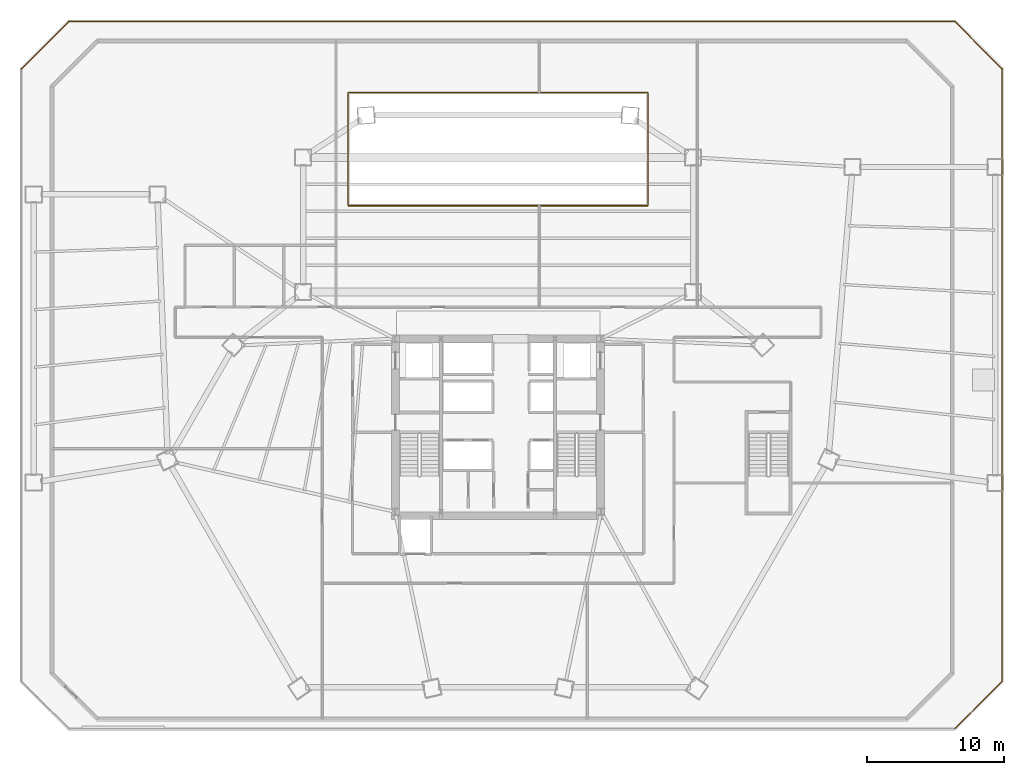
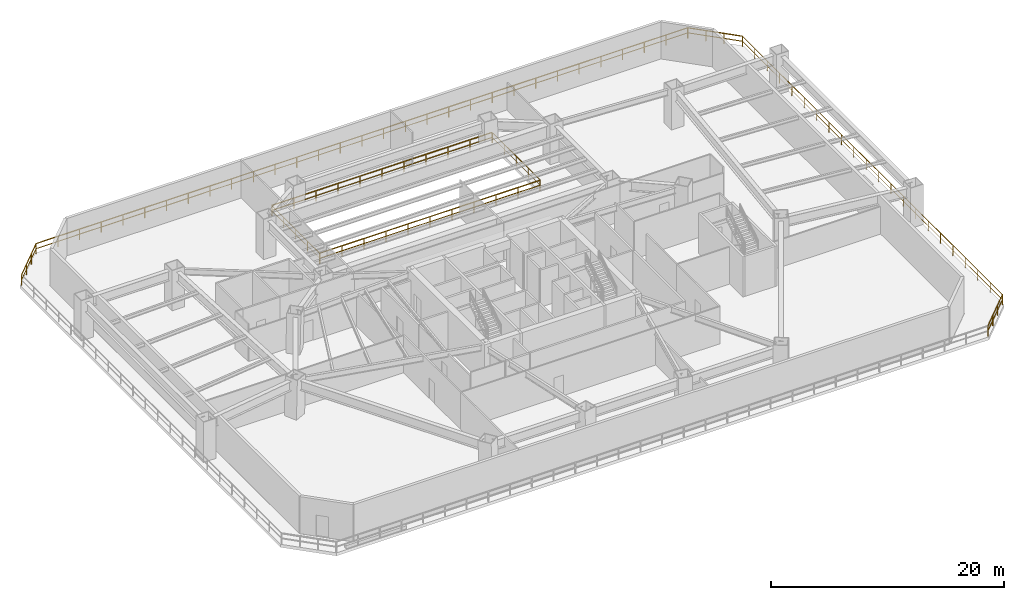
# One storey, part 12 of 12: 9 railings.
"""IFC4 building model written with IfcOpenShell, lengths in metres."""

from ifc_helpers import new_model, si_unit, direction, frame, origin, origin_2d, place, context, subcontext, project, spatial, rectangle, extrude, material, layer, layer_set, type_object, element, save


model = new_model("IFC4")

# Units and contexts
model_context = context("Model", 3, precision=1e-05, world=origin(), true_north=direction((0.0, 1.0)))
body_context = subcontext(model_context, "Body", "Model", "MODEL_VIEW")
ifc_project = project(units=[si_unit("LENGTHUNIT", "METRE"), si_unit("AREAUNIT", "SQUARE_METRE"), si_unit("VOLUMEUNIT", "CUBIC_METRE"), si_unit("PLANEANGLEUNIT", "RADIAN"), si_unit("MASSUNIT", "GRAM", prefix="KILO")], contexts=[model_context])

# Site, building, storey
site_placement = place(None, origin())
site = spatial("IfcSite", under=ifc_project, at=site_placement, CompositionType="ELEMENT")
building_placement = place(site_placement, origin())
building = spatial("IfcBuilding", under=site, at=building_placement, Name="Caelisora Broadcast Tower", CompositionType="ELEMENT")
storey_placement = place(building_placement, frame((0.0, 0.0, 14.699951171875)))
storey = spatial("IfcBuildingStorey", under=building, at=storey_placement, Name="L03", CompositionType="ELEMENT", Elevation=14.699951171875)

# Railings
ifc_material_1 = material(Name="Laminated Glass and Stainless Steel Terrace Balustrade", Category="steel")
ifc_layer_1 = layer(ifc_material_1, 0.048095703125, Name="Laminated Glass and Stainless Steel Terrace Balustrade")
ifc_layer_set_1 = layer_set([ifc_layer_1], Name="Laminated Glass and Stainless Steel Terrace Balustrade")
railing_type_1 = type_object("IfcRailingType", Name="BL-1", PredefinedType="BALUSTRADE", material=ifc_layer_set_1)
railing_1_placement = place(storey_placement, frame((3.320068359375, 49.64990234375, 0.0)))
element("IfcRailing", 1, at=railing_1_placement, inside=storey, type_object=railing_type_1, Name="L03 balustrade BL-1 #03", PredefinedType="BALUSTRADE", context=body_context, shape_type="SweptSolid", body=[
    extrude(rectangle(XDim=0.048095703125, YDim=0.048095703125, at=origin_2d()), frame((0.0, 0.0, 1.076171875), z_axis=(0.707081615901, 0.707131945577, 0.0), x_axis=(-0.707131945577, 0.707081615901, 0.0)), (0.0, 0.0, 1.0), 4.850830078125),
    extrude(rectangle(XDim=0.03125, YDim=0.03125, at=origin_2d()), frame((0.0, 0.0, 0.550048828125), z_axis=(0.707081615901, 0.707131945577, 0.0), x_axis=(-0.707131945577, 0.707081615901, 0.0)), (0.0, 0.0, 1.0), 4.850830078125),
    extrude(rectangle(XDim=0.0419921875, YDim=0.0419921875, at=origin_2d()), origin(), (0.0, 0.0, 1.0), 1.052001953125),
    extrude(rectangle(XDim=0.0419921875, YDim=0.0419921875, at=origin_2d()), frame((1.143310546875, 1.143310546875, 0.0)), (0.0, 0.0, 1.0), 1.052001953125),
    extrude(rectangle(XDim=0.0419921875, YDim=0.0419921875, at=origin_2d()), frame((2.28662109375, 2.286865234375, 0.0)), (0.0, 0.0, 1.0), 1.052001953125),
    extrude(rectangle(XDim=0.0419921875, YDim=0.0419921875, at=origin_2d()), frame((3.429931640625, 3.43017578125, 0.0)), (0.0, 0.0, 1.0), 1.052001953125),
])
railing_2_placement = place(storey_placement, frame((6.75, 53.080078125, 0.0)))
element("IfcRailing", 2, at=railing_2_placement, inside=storey, type_object=railing_type_1, Name="L03 balustrade BL-1 #04", PredefinedType="BALUSTRADE", context=body_context, shape_type="SweptSolid", body=[
    extrude(rectangle(XDim=0.048095703125, YDim=0.048095703125, at=origin_2d()), frame((0.0, 0.0, 1.076171875), z_axis=(1.0, 0.0, 0.0), x_axis=(0.0, 1.0, 0.0)), (0.0, 0.0, 1.0), 64.5),
    extrude(rectangle(XDim=0.03125, YDim=0.03125, at=origin_2d()), frame((0.0, 0.0, 0.550048828125), z_axis=(1.0, 0.0, 0.0), x_axis=(0.0, 1.0, 0.0)), (0.0, 0.0, 1.0), 64.5),
    extrude(rectangle(XDim=0.0419921875, YDim=0.0419921875, at=origin_2d()), origin(), (0.0, 0.0, 1.0), 1.052001953125),
    extrude(rectangle(XDim=0.0419921875, YDim=0.0419921875, at=origin_2d()), frame((2.14990234375, 0.0, 0.0)), (0.0, 0.0, 1.0), 1.052001953125),
    extrude(rectangle(XDim=0.0419921875, YDim=0.0419921875, at=origin_2d()), frame((4.300048828125, 0.0, 0.0)), (0.0, 0.0, 1.0), 1.052001953125),
    extrude(rectangle(XDim=0.0419921875, YDim=0.0419921875, at=origin_2d()), frame((6.449951171875, 0.0, 0.0)), (0.0, 0.0, 1.0), 1.052001953125),
    extrude(rectangle(XDim=0.0419921875, YDim=0.0419921875, at=origin_2d()), frame((8.60009765625, 0.0, 0.0)), (0.0, 0.0, 1.0), 1.052001953125),
    extrude(rectangle(XDim=0.0419921875, YDim=0.0419921875, at=origin_2d()), frame((10.75, 0.0, 0.0)), (0.0, 0.0, 1.0), 1.052001953125),
    extrude(rectangle(XDim=0.0419921875, YDim=0.0419921875, at=origin_2d()), frame((12.89990234375, 0.0, 0.0)), (0.0, 0.0, 1.0), 1.052001953125),
    extrude(rectangle(XDim=0.0419921875, YDim=0.0419921875, at=origin_2d()), frame((15.050048828125, 0.0, 0.0)), (0.0, 0.0, 1.0), 1.052001953125),
    extrude(rectangle(XDim=0.0419921875, YDim=0.0419921875, at=origin_2d()), frame((17.199951171875, 0.0, 0.0)), (0.0, 0.0, 1.0), 1.052001953125),
    extrude(rectangle(XDim=0.0419921875, YDim=0.0419921875, at=origin_2d()), frame((19.35009765625, 0.0, 0.0)), (0.0, 0.0, 1.0), 1.052001953125),
    extrude(rectangle(XDim=0.0419921875, YDim=0.0419921875, at=origin_2d()), frame((21.5, 0.0, 0.0)), (0.0, 0.0, 1.0), 1.052001953125),
    extrude(rectangle(XDim=0.0419921875, YDim=0.0419921875, at=origin_2d()), frame((23.64990234375, 0.0, 0.0)), (0.0, 0.0, 1.0), 1.052001953125),
    extrude(rectangle(XDim=0.0419921875, YDim=0.0419921875, at=origin_2d()), frame((25.800048828125, 0.0, 0.0)), (0.0, 0.0, 1.0), 1.052001953125),
    extrude(rectangle(XDim=0.0419921875, YDim=0.0419921875, at=origin_2d()), frame((27.949951171875, 0.0, 0.0)), (0.0, 0.0, 1.0), 1.052001953125),
    extrude(rectangle(XDim=0.0419921875, YDim=0.0419921875, at=origin_2d()), frame((30.10009765625, 0.0, 0.0)), (0.0, 0.0, 1.0), 1.052001953125),
    extrude(rectangle(XDim=0.0419921875, YDim=0.0419921875, at=origin_2d()), frame((32.25, 0.0, 0.0)), (0.0, 0.0, 1.0), 1.052001953125),
    extrude(rectangle(XDim=0.0419921875, YDim=0.0419921875, at=origin_2d()), frame((34.39990234375, 0.0, 0.0)), (0.0, 0.0, 1.0), 1.052001953125),
    extrude(rectangle(XDim=0.0419921875, YDim=0.0419921875, at=origin_2d()), frame((36.550048828125, 0.0, 0.0)), (0.0, 0.0, 1.0), 1.052001953125),
    extrude(rectangle(XDim=0.0419921875, YDim=0.0419921875, at=origin_2d()), frame((38.699951171875, 0.0, 0.0)), (0.0, 0.0, 1.0), 1.052001953125),
    extrude(rectangle(XDim=0.0419921875, YDim=0.0419921875, at=origin_2d()), frame((40.85009765625, 0.0, 0.0)), (0.0, 0.0, 1.0), 1.052001953125),
    extrude(rectangle(XDim=0.0419921875, YDim=0.0419921875, at=origin_2d()), frame((43.0, 0.0, 0.0)), (0.0, 0.0, 1.0), 1.052001953125),
    extrude(rectangle(XDim=0.0419921875, YDim=0.0419921875, at=origin_2d()), frame((45.14990234375, 0.0, 0.0)), (0.0, 0.0, 1.0), 1.052001953125),
    extrude(rectangle(XDim=0.0419921875, YDim=0.0419921875, at=origin_2d()), frame((47.300048828125, 0.0, 0.0)), (0.0, 0.0, 1.0), 1.052001953125),
    extrude(rectangle(XDim=0.0419921875, YDim=0.0419921875, at=origin_2d()), frame((49.449951171875, 0.0, 0.0)), (0.0, 0.0, 1.0), 1.052001953125),
    extrude(rectangle(XDim=0.0419921875, YDim=0.0419921875, at=origin_2d()), frame((51.60009765625, 0.0, 0.0)), (0.0, 0.0, 1.0), 1.052001953125),
    extrude(rectangle(XDim=0.0419921875, YDim=0.0419921875, at=origin_2d()), frame((53.75, 0.0, 0.0)), (0.0, 0.0, 1.0), 1.052001953125),
    extrude(rectangle(XDim=0.0419921875, YDim=0.0419921875, at=origin_2d()), frame((55.89990234375, 0.0, 0.0)), (0.0, 0.0, 1.0), 1.052001953125),
    extrude(rectangle(XDim=0.0419921875, YDim=0.0419921875, at=origin_2d()), frame((58.050048828125, 0.0, 0.0)), (0.0, 0.0, 1.0), 1.052001953125),
    extrude(rectangle(XDim=0.0419921875, YDim=0.0419921875, at=origin_2d()), frame((60.199951171875, 0.0, 0.0)), (0.0, 0.0, 1.0), 1.052001953125),
    extrude(rectangle(XDim=0.0419921875, YDim=0.0419921875, at=origin_2d()), frame((62.35009765625, 0.0, 0.0)), (0.0, 0.0, 1.0), 1.052001953125),
    extrude(rectangle(XDim=0.0419921875, YDim=0.0419921875, at=origin_2d()), frame((64.5, 0.0, 0.0)), (0.0, 0.0, 1.0), 1.052001953125),
])
railing_3_placement = place(storey_placement, frame((71.25, 53.080078125, 0.0)))
element("IfcRailing", 3, at=railing_3_placement, inside=storey, type_object=railing_type_1, Name="L03 balustrade BL-1 #05", PredefinedType="BALUSTRADE", context=body_context, shape_type="SweptSolid", body=[
    extrude(rectangle(XDim=0.048095703125, YDim=0.048095703125, at=origin_2d()), frame((0.0, 0.0, 1.076171875), z_axis=(0.707081615901, -0.707131945577, 0.0), x_axis=(0.707131945577, 0.707081615901, 0.0)), (0.0, 0.0, 1.0), 4.850830078125),
    extrude(rectangle(XDim=0.03125, YDim=0.03125, at=origin_2d()), frame((0.0, 0.0, 0.550048828125), z_axis=(0.707081615901, -0.707131945577, 0.0), x_axis=(0.707131945577, 0.707081615901, 0.0)), (0.0, 0.0, 1.0), 4.850830078125),
    extrude(rectangle(XDim=0.0419921875, YDim=0.0419921875, at=origin_2d()), origin(), (0.0, 0.0, 1.0), 1.052001953125),
    extrude(rectangle(XDim=0.0419921875, YDim=0.0419921875, at=origin_2d()), frame((1.143310546875, -1.143310546875, 0.0)), (0.0, 0.0, 1.0), 1.052001953125),
    extrude(rectangle(XDim=0.0419921875, YDim=0.0419921875, at=origin_2d()), frame((2.28662109375, -2.286865234375, 0.0)), (0.0, 0.0, 1.0), 1.052001953125),
    extrude(rectangle(XDim=0.0419921875, YDim=0.0419921875, at=origin_2d()), frame((3.429931640625, -3.43017578125, 0.0)), (0.0, 0.0, 1.0), 1.052001953125),
])
railing_4_placement = place(storey_placement, frame((74.679931640625, 49.64990234375, 0.0)))
element("IfcRailing", 4, at=railing_4_placement, inside=storey, type_object=railing_type_1, Name="L03 balustrade BL-1 #06", PredefinedType="BALUSTRADE", context=body_context, shape_type="SweptSolid", body=[
    extrude(rectangle(XDim=0.048095703125, YDim=0.048095703125, at=origin_2d()), frame((0.0, 0.0, 1.076171875), z_axis=(0.0, -1.0, 0.0), x_axis=(1.0, 0.0, 0.0)), (0.0, 0.0, 1.0), 44.599853515625),
    extrude(rectangle(XDim=0.03125, YDim=0.03125, at=origin_2d()), frame((0.0, 0.0, 0.550048828125), z_axis=(0.0, -1.0, 0.0), x_axis=(1.0, 0.0, 0.0)), (0.0, 0.0, 1.0), 44.599853515625),
    extrude(rectangle(XDim=0.0419921875, YDim=0.0419921875, at=origin_2d()), origin(), (0.0, 0.0, 1.0), 1.052001953125),
    extrude(rectangle(XDim=0.0419921875, YDim=0.0419921875, at=origin_2d()), frame((0.0, -2.123779296875, 0.0)), (0.0, 0.0, 1.0), 1.052001953125),
    extrude(rectangle(XDim=0.0419921875, YDim=0.0419921875, at=origin_2d()), frame((0.0, -4.24755859375, 0.0)), (0.0, 0.0, 1.0), 1.052001953125),
    extrude(rectangle(XDim=0.0419921875, YDim=0.0419921875, at=origin_2d()), frame((0.0, -6.371337890625, 0.0)), (0.0, 0.0, 1.0), 1.052001953125),
    extrude(rectangle(XDim=0.0419921875, YDim=0.0419921875, at=origin_2d()), frame((0.0, -8.4951171875, 0.0)), (0.0, 0.0, 1.0), 1.052001953125),
    extrude(rectangle(XDim=0.0419921875, YDim=0.0419921875, at=origin_2d()), frame((0.0, -10.618896484375, 0.0)), (0.0, 0.0, 1.0), 1.052001953125),
    extrude(rectangle(XDim=0.0419921875, YDim=0.0419921875, at=origin_2d()), frame((0.0, -12.742919921875, 0.0)), (0.0, 0.0, 1.0), 1.052001953125),
    extrude(rectangle(XDim=0.0419921875, YDim=0.0419921875, at=origin_2d()), frame((0.0, -14.86669921875, 0.0)), (0.0, 0.0, 1.0), 1.052001953125),
    extrude(rectangle(XDim=0.0419921875, YDim=0.0419921875, at=origin_2d()), frame((0.0, -16.990478515625, 0.0)), (0.0, 0.0, 1.0), 1.052001953125),
    extrude(rectangle(XDim=0.0419921875, YDim=0.0419921875, at=origin_2d()), frame((0.0, -19.1142578125, 0.0)), (0.0, 0.0, 1.0), 1.052001953125),
    extrude(rectangle(XDim=0.0419921875, YDim=0.0419921875, at=origin_2d()), frame((0.0, -21.238037109375, 0.0)), (0.0, 0.0, 1.0), 1.052001953125),
    extrude(rectangle(XDim=0.0419921875, YDim=0.0419921875, at=origin_2d()), frame((0.0, -23.36181640625, 0.0)), (0.0, 0.0, 1.0), 1.052001953125),
    extrude(rectangle(XDim=0.0419921875, YDim=0.0419921875, at=origin_2d()), frame((0.0, -25.485595703125, 0.0)), (0.0, 0.0, 1.0), 1.052001953125),
    extrude(rectangle(XDim=0.0419921875, YDim=0.0419921875, at=origin_2d()), frame((0.0, -27.609375, 0.0)), (0.0, 0.0, 1.0), 1.052001953125),
    extrude(rectangle(XDim=0.0419921875, YDim=0.0419921875, at=origin_2d()), frame((0.0, -29.733154296875, 0.0)), (0.0, 0.0, 1.0), 1.052001953125),
    extrude(rectangle(XDim=0.0419921875, YDim=0.0419921875, at=origin_2d()), frame((0.0, -31.85693359375, 0.0)), (0.0, 0.0, 1.0), 1.052001953125),
    extrude(rectangle(XDim=0.0419921875, YDim=0.0419921875, at=origin_2d()), frame((0.0, -33.98095703125, 0.0)), (0.0, 0.0, 1.0), 1.052001953125),
    extrude(rectangle(XDim=0.0419921875, YDim=0.0419921875, at=origin_2d()), frame((0.0, -36.104736328125, 0.0)), (0.0, 0.0, 1.0), 1.052001953125),
    extrude(rectangle(XDim=0.0419921875, YDim=0.0419921875, at=origin_2d()), frame((0.0, -38.228515625, 0.0)), (0.0, 0.0, 1.0), 1.052001953125),
    extrude(rectangle(XDim=0.0419921875, YDim=0.0419921875, at=origin_2d()), frame((0.0, -40.352294921875, 0.0)), (0.0, 0.0, 1.0), 1.052001953125),
    extrude(rectangle(XDim=0.0419921875, YDim=0.0419921875, at=origin_2d()), frame((0.0, -42.47607421875, 0.0)), (0.0, 0.0, 1.0), 1.052001953125),
    extrude(rectangle(XDim=0.0419921875, YDim=0.0419921875, at=origin_2d()), frame((0.0, -44.599853515625, 0.0)), (0.0, 0.0, 1.0), 1.052001953125),
])
railing_5_placement = place(storey_placement, frame((74.679931640625, 5.050048828125, 0.0)))
element("IfcRailing", 5, at=railing_5_placement, inside=storey, type_object=railing_type_1, Name="L03 balustrade BL-1 #07", PredefinedType="BALUSTRADE", context=body_context, shape_type="SweptSolid", body=[
    extrude(rectangle(XDim=0.048095703125, YDim=0.048095703125, at=origin_2d()), frame((0.0, 0.0, 1.076171875), z_axis=(-0.707106781187, -0.707106781187, 0.0), x_axis=(0.707106781187, -0.707106781187, 0.0)), (0.0, 0.0, 1.0), 4.8505859375),
    extrude(rectangle(XDim=0.03125, YDim=0.03125, at=origin_2d()), frame((0.0, 0.0, 0.550048828125), z_axis=(-0.707106781187, -0.707106781187, 0.0), x_axis=(0.707106781187, -0.707106781187, 0.0)), (0.0, 0.0, 1.0), 4.8505859375),
    extrude(rectangle(XDim=0.0419921875, YDim=0.0419921875, at=origin_2d()), origin(), (0.0, 0.0, 1.0), 1.052001953125),
    extrude(rectangle(XDim=0.0419921875, YDim=0.0419921875, at=origin_2d()), frame((-1.143310546875, -1.143310546875, 0.0)), (0.0, 0.0, 1.0), 1.052001953125),
    extrude(rectangle(XDim=0.0419921875, YDim=0.0419921875, at=origin_2d()), frame((-2.28662109375, -2.28662109375, 0.0)), (0.0, 0.0, 1.0), 1.052001953125),
    extrude(rectangle(XDim=0.0419921875, YDim=0.0419921875, at=origin_2d()), frame((-3.429931640625, -3.429931640625, 0.0)), (0.0, 0.0, 1.0), 1.052001953125),
])
ifc_material_2 = material(Name="Galvanised Steel Safety Guardrail", Category="steel")
ifc_layer_2 = layer(ifc_material_2, 0.048095703125, Name="Galvanised Steel Safety Guardrail")
ifc_layer_set_2 = layer_set([ifc_layer_2], Name="Galvanised Steel Safety Guardrail")
railing_type_2 = type_object("IfcRailingType", Name="GR-1", PredefinedType="GUARDRAIL", material=ifc_layer_set_2)
railing_6_placement = place(storey_placement, frame((27.1201171875, 39.679931640625, 0.0)))
element("IfcRailing", 6, at=railing_6_placement, inside=storey, type_object=railing_type_2, Name="L03 STC studio void guardrail #1", PredefinedType="GUARDRAIL", context=body_context, shape_type="SweptSolid", body=[
    extrude(rectangle(XDim=0.048095703125, YDim=0.048095703125, at=origin_2d()), frame((0.0, 0.0, 1.076171875), z_axis=(1.0, 0.0, 0.0), x_axis=(0.0, 1.0, 0.0)), (0.0, 0.0, 1.0), 21.759765625),
    extrude(rectangle(XDim=0.03125, YDim=0.03125, at=origin_2d()), frame((0.0, 0.0, 0.550048828125), z_axis=(1.0, 0.0, 0.0), x_axis=(0.0, 1.0, 0.0)), (0.0, 0.0, 1.0), 21.759765625),
    extrude(rectangle(XDim=0.0419921875, YDim=0.0419921875, at=origin_2d()), origin(), (0.0, 0.0, 1.0), 1.052001953125),
    extrude(rectangle(XDim=0.0419921875, YDim=0.0419921875, at=origin_2d()), frame((2.176025390625, 0.0, 0.0)), (0.0, 0.0, 1.0), 1.052001953125),
    extrude(rectangle(XDim=0.0419921875, YDim=0.0419921875, at=origin_2d()), frame((4.35205078125, 0.0, 0.0)), (0.0, 0.0, 1.0), 1.052001953125),
    extrude(rectangle(XDim=0.0419921875, YDim=0.0419921875, at=origin_2d()), frame((6.52783203125, 0.0, 0.0)), (0.0, 0.0, 1.0), 1.052001953125),
    extrude(rectangle(XDim=0.0419921875, YDim=0.0419921875, at=origin_2d()), frame((8.703857421875, 0.0, 0.0)), (0.0, 0.0, 1.0), 1.052001953125),
    extrude(rectangle(XDim=0.0419921875, YDim=0.0419921875, at=origin_2d()), frame((10.8798828125, 0.0, 0.0)), (0.0, 0.0, 1.0), 1.052001953125),
    extrude(rectangle(XDim=0.0419921875, YDim=0.0419921875, at=origin_2d()), frame((13.055908203125, 0.0, 0.0)), (0.0, 0.0, 1.0), 1.052001953125),
    extrude(rectangle(XDim=0.0419921875, YDim=0.0419921875, at=origin_2d()), frame((15.23193359375, 0.0, 0.0)), (0.0, 0.0, 1.0), 1.052001953125),
    extrude(rectangle(XDim=0.0419921875, YDim=0.0419921875, at=origin_2d()), frame((17.40771484375, 0.0, 0.0)), (0.0, 0.0, 1.0), 1.052001953125),
    extrude(rectangle(XDim=0.0419921875, YDim=0.0419921875, at=origin_2d()), frame((19.583740234375, 0.0, 0.0)), (0.0, 0.0, 1.0), 1.052001953125),
    extrude(rectangle(XDim=0.0419921875, YDim=0.0419921875, at=origin_2d()), frame((21.759765625, 0.0, 0.0)), (0.0, 0.0, 1.0), 1.052001953125),
])
railing_7_placement = place(storey_placement, frame((48.919921875, 39.719970703125, 0.0)))
element("IfcRailing", 7, at=railing_7_placement, inside=storey, type_object=railing_type_2, Name="L03 STC studio void guardrail #2", PredefinedType="GUARDRAIL", context=body_context, shape_type="SweptSolid", body=[
    extrude(rectangle(XDim=0.048095703125, YDim=0.048095703125, at=origin_2d()), frame((0.0, 0.0, 1.076171875), z_axis=(0.0, 1.0, 0.0), x_axis=(-1.0, 0.0, 0.0)), (0.0, 0.0, 1.0), 8.159912109375),
    extrude(rectangle(XDim=0.03125, YDim=0.03125, at=origin_2d()), frame((0.0, 0.0, 0.550048828125), z_axis=(0.0, 1.0, 0.0), x_axis=(-1.0, 0.0, 0.0)), (0.0, 0.0, 1.0), 8.159912109375),
    extrude(rectangle(XDim=0.0419921875, YDim=0.0419921875, at=origin_2d()), origin(), (0.0, 0.0, 1.0), 1.052001953125),
    extrude(rectangle(XDim=0.0419921875, YDim=0.0419921875, at=origin_2d()), frame((0.0, 2.0400390625, 0.0)), (0.0, 0.0, 1.0), 1.052001953125),
    extrude(rectangle(XDim=0.0419921875, YDim=0.0419921875, at=origin_2d()), frame((0.0, 4.080078125, 0.0)), (0.0, 0.0, 1.0), 1.052001953125),
    extrude(rectangle(XDim=0.0419921875, YDim=0.0419921875, at=origin_2d()), frame((0.0, 6.119873046875, 0.0)), (0.0, 0.0, 1.0), 1.052001953125),
    extrude(rectangle(XDim=0.0419921875, YDim=0.0419921875, at=origin_2d()), frame((0.0, 8.159912109375, 0.0)), (0.0, 0.0, 1.0), 1.052001953125),
])
railing_8_placement = place(storey_placement, frame((48.8798828125, 47.919921875, 0.0)))
element("IfcRailing", 8, at=railing_8_placement, inside=storey, type_object=railing_type_2, Name="L03 STC studio void guardrail #3", PredefinedType="GUARDRAIL", context=body_context, shape_type="SweptSolid", body=[
    extrude(rectangle(XDim=0.048095703125, YDim=0.048095703125, at=origin_2d()), frame((0.0, 0.0, 1.076171875), z_axis=(-1.0, 0.0, 0.0), x_axis=(0.0, -1.0, 0.0)), (0.0, 0.0, 1.0), 21.759765625),
    extrude(rectangle(XDim=0.03125, YDim=0.03125, at=origin_2d()), frame((0.0, 0.0, 0.550048828125), z_axis=(-1.0, 0.0, 0.0), x_axis=(0.0, -1.0, 0.0)), (0.0, 0.0, 1.0), 21.759765625),
    extrude(rectangle(XDim=0.0419921875, YDim=0.0419921875, at=origin_2d()), origin(), (0.0, 0.0, 1.0), 1.052001953125),
    extrude(rectangle(XDim=0.0419921875, YDim=0.0419921875, at=origin_2d()), frame((-2.176025390625, 0.0, 0.0)), (0.0, 0.0, 1.0), 1.052001953125),
    extrude(rectangle(XDim=0.0419921875, YDim=0.0419921875, at=origin_2d()), frame((-4.35205078125, 0.0, 0.0)), (0.0, 0.0, 1.0), 1.052001953125),
    extrude(rectangle(XDim=0.0419921875, YDim=0.0419921875, at=origin_2d()), frame((-6.52783203125, 0.0, 0.0)), (0.0, 0.0, 1.0), 1.052001953125),
    extrude(rectangle(XDim=0.0419921875, YDim=0.0419921875, at=origin_2d()), frame((-8.703857421875, 0.0, 0.0)), (0.0, 0.0, 1.0), 1.052001953125),
    extrude(rectangle(XDim=0.0419921875, YDim=0.0419921875, at=origin_2d()), frame((-10.8798828125, 0.0, 0.0)), (0.0, 0.0, 1.0), 1.052001953125),
    extrude(rectangle(XDim=0.0419921875, YDim=0.0419921875, at=origin_2d()), frame((-13.055908203125, 0.0, 0.0)), (0.0, 0.0, 1.0), 1.052001953125),
    extrude(rectangle(XDim=0.0419921875, YDim=0.0419921875, at=origin_2d()), frame((-15.23193359375, 0.0, 0.0)), (0.0, 0.0, 1.0), 1.052001953125),
    extrude(rectangle(XDim=0.0419921875, YDim=0.0419921875, at=origin_2d()), frame((-17.40771484375, 0.0, 0.0)), (0.0, 0.0, 1.0), 1.052001953125),
    extrude(rectangle(XDim=0.0419921875, YDim=0.0419921875, at=origin_2d()), frame((-19.583740234375, 0.0, 0.0)), (0.0, 0.0, 1.0), 1.052001953125),
    extrude(rectangle(XDim=0.0419921875, YDim=0.0419921875, at=origin_2d()), frame((-21.759765625, 0.0, 0.0)), (0.0, 0.0, 1.0), 1.052001953125),
])
railing_9_placement = place(storey_placement, frame((27.080078125, 47.8798828125, 0.0)))
element("IfcRailing", 9, at=railing_9_placement, inside=storey, type_object=railing_type_2, Name="L03 STC studio void guardrail #4", PredefinedType="GUARDRAIL", context=body_context, shape_type="SweptSolid", body=[
    extrude(rectangle(XDim=0.048095703125, YDim=0.048095703125, at=origin_2d()), frame((0.0, 0.0, 1.076171875), z_axis=(0.0, -1.0, 0.0), x_axis=(1.0, 0.0, 0.0)), (0.0, 0.0, 1.0), 8.159912109375),
    extrude(rectangle(XDim=0.03125, YDim=0.03125, at=origin_2d()), frame((0.0, 0.0, 0.550048828125), z_axis=(0.0, -1.0, 0.0), x_axis=(1.0, 0.0, 0.0)), (0.0, 0.0, 1.0), 8.159912109375),
    extrude(rectangle(XDim=0.0419921875, YDim=0.0419921875, at=origin_2d()), origin(), (0.0, 0.0, 1.0), 1.052001953125),
    extrude(rectangle(XDim=0.0419921875, YDim=0.0419921875, at=origin_2d()), frame((0.0, -2.0400390625, 0.0)), (0.0, 0.0, 1.0), 1.052001953125),
    extrude(rectangle(XDim=0.0419921875, YDim=0.0419921875, at=origin_2d()), frame((0.0, -4.080078125, 0.0)), (0.0, 0.0, 1.0), 1.052001953125),
    extrude(rectangle(XDim=0.0419921875, YDim=0.0419921875, at=origin_2d()), frame((0.0, -6.119873046875, 0.0)), (0.0, 0.0, 1.0), 1.052001953125),
    extrude(rectangle(XDim=0.0419921875, YDim=0.0419921875, at=origin_2d()), frame((0.0, -8.159912109375, 0.0)), (0.0, 0.0, 1.0), 1.052001953125),
])

save(model, "model.ifc")
